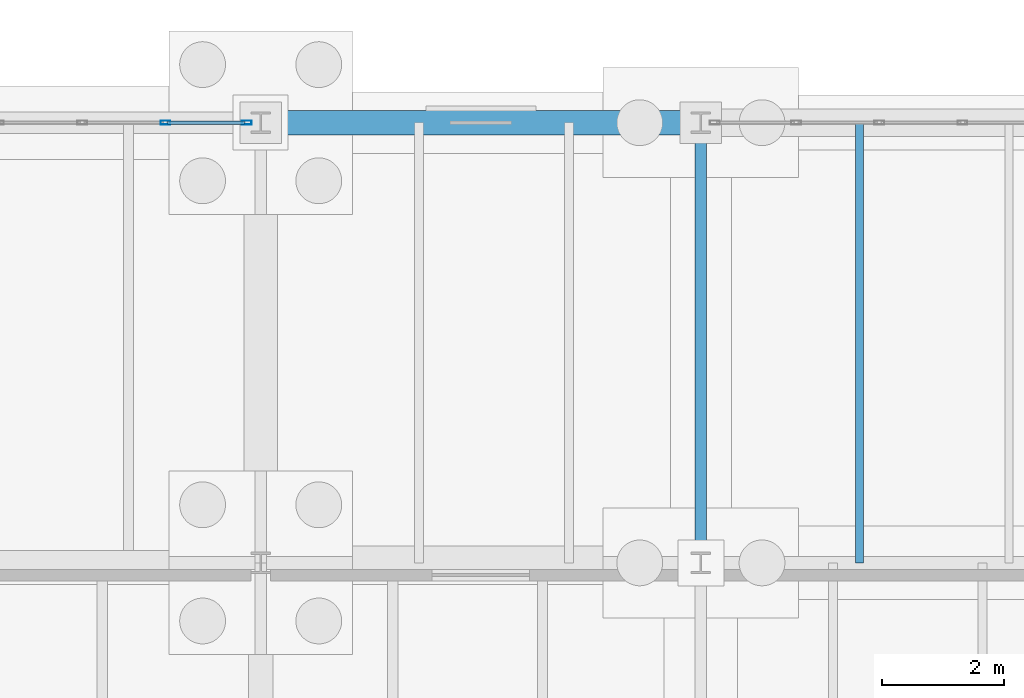
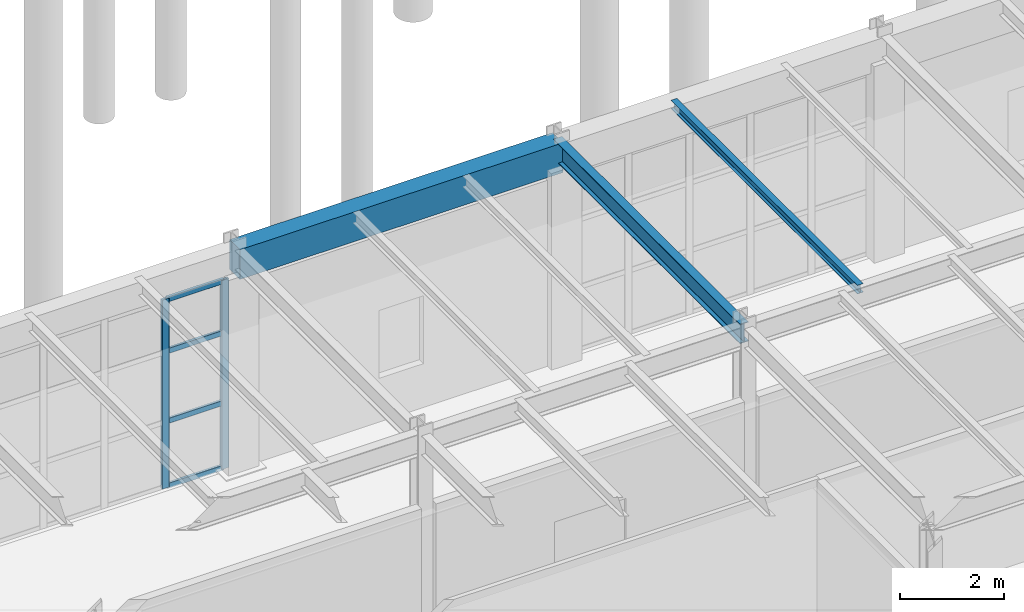
# One storey, part 156 of 293: 6 members, 3 beams, 1 element without a shape of its own.
"""IFC4 building model written with IfcOpenShell, lengths in metres."""

from ifc_helpers import new_model, si_unit, direction, frame, origin, origin_2d, place, context, subcontext, project, spatial, rectangle, hollow_rectangle, i_section, extrude, material, layer, layer_set, material_profile, profile_set, type_object, element, aggregate, save


model = new_model("IFC4")

# Units and contexts
model_context = context("Model", 3, precision=1e-05, world=origin(), true_north=direction((0.0, 1.0)))
body_context = subcontext(model_context, "Body", "Model", "MODEL_VIEW")
ifc_project = project(units=[si_unit("LENGTHUNIT", "METRE"), si_unit("AREAUNIT", "SQUARE_METRE"), si_unit("VOLUMEUNIT", "CUBIC_METRE"), si_unit("PLANEANGLEUNIT", "RADIAN"), si_unit("MASSUNIT", "GRAM", prefix="KILO")], contexts=[model_context])

# Site, building, storey
site_placement = place(None, origin())
site = spatial("IfcSite", under=ifc_project, at=site_placement, CompositionType="ELEMENT")
building_placement = place(site_placement, origin())
building = spatial("IfcBuilding", under=site, at=building_placement, Name="Kemerveld Promenade Tramway Depot", CompositionType="ELEMENT")
storey_placement = place(building_placement, origin())
storey = spatial("IfcBuildingStorey", under=building, at=storey_placement, Name="L00", CompositionType="ELEMENT", Elevation=0.0)

# Beams
ifc_material_1 = material(Name="Steel S355", Category="steel")
ifc_material_profile_1 = material_profile(ifc_material_1, i_section(OverallWidth=0.19140625, OverallDepth=0.4599609375, WebThickness=0.010009765625, FlangeThickness=0.01611328125, FilletRadius=0.01025390625, at=origin_2d()), Name="457x191x82 UB")
ifc_profile_set_1 = profile_set([ifc_material_profile_1], Name="Steel S355")
beam_type_1 = type_object("IfcBeamType", Name="BM-G06", PredefinedType="BEAM", material=ifc_profile_set_1)
beam_1_placement = place(storey_placement, frame((136.800048828125, 21.60009765625, 4.945068359375), z_axis=(0.0, 1.0, 0.0), x_axis=(-1.0, 0.0, 0.0)))
element("IfcBeam", 1, at=beam_1_placement, inside=storey, type_object=beam_type_1, Name="BMY-L00-20-D-E", PredefinedType="BEAM", context=body_context, shape_type="SweptSolid", body=[
    extrude(i_section(OverallWidth=0.19140625, OverallDepth=0.4599609375, WebThickness=0.010009765625, FlangeThickness=0.01611328125, FilletRadius=0.01025390625, at=origin_2d()), origin(), (0.0, 0.0, 1.0), 7.199951171875),
])
ifc_material_profile_2 = material_profile(ifc_material_1, i_section(OverallWidth=0.13330078125, OverallDepth=0.203125, WebThickness=0.005615234375, FlangeThickness=0.0078125, FilletRadius=0.007568359375, at=origin_2d()), Name="203x133x25 UB")
ifc_profile_set_2 = profile_set([ifc_material_profile_2], Name="Steel S355")
beam_type_2 = type_object("IfcBeamType", Name="BM-J03", PredefinedType="JOIST", material=ifc_profile_set_2)
beam_2_placement = place(storey_placement, frame((139.39208984375, 21.60009765625, 5.073486328125), z_axis=(0.0, 1.0, 0.0), x_axis=(-1.0, 0.0, 0.0)))
element("IfcBeam", 2, at=beam_2_placement, inside=storey, type_object=beam_type_2, Name="JST-L00-20-D-1", PredefinedType="JOIST", context=body_context, shape_type="SweptSolid", body=[
    extrude(i_section(OverallWidth=0.13330078125, OverallDepth=0.203125, WebThickness=0.005615234375, FlangeThickness=0.0078125, FilletRadius=0.007568359375, at=origin_2d()), origin(), (0.0, 0.0, 1.0), 7.199951171875),
])
ifc_material_2 = material(Name="Concrete C40/50", Category="concrete")
ifc_material_profile_3 = material_profile(ifc_material_2, rectangle(XDim=0.39990234375, YDim=0.699951171875, at=origin_2d()), Name="RC-BM-400x700")
ifc_profile_set_3 = profile_set([ifc_material_profile_3], Name="Concrete C40/50")
beam_type_3 = type_object("IfcBeamType", Name="BM-RC5", PredefinedType="BEAM", material=ifc_profile_set_3)
beam_3_placement = place(storey_placement, frame((129.60009765625, 28.800048828125, 4.824951171875), z_axis=(1.0, 0.0, 0.0), x_axis=(0.0, 1.0, 0.0)))
element("IfcBeam", 3, at=beam_3_placement, inside=storey, type_object=beam_type_3, Name="BMX-L00-19-20-E", PredefinedType="BEAM", context=body_context, shape_type="SweptSolid", body=[
    extrude(rectangle(XDim=0.39990234375, YDim=0.699951171875, at=origin_2d()), origin(), (0.0, 0.0, 1.0), 7.199951171875),
])

# Curtain wall, members
ifc_material_3 = material(Name="Bronze anodised aluminium and solar glass", Category="aluminium")
ifc_layer = layer(ifc_material_3, 0.159912109375)
ifc_layer_set = layer_set([ifc_layer], Name="CW-SYS-13")
curtain_wall_type = type_object("IfcCurtainWallType", Name="CW-SYS-13", PredefinedType="USERDEFINED", material=ifc_layer_set)
curtain_wall_placement = place(storey_placement, origin())
curtain_wall = element("IfcCurtainWall", 4, at=curtain_wall_placement, inside=storey, type_object=curtain_wall_type, Name="CW-L00-V4N-10", ObjectType="GLAZED_CURTAIN_WALL", PredefinedType="USERDEFINED")
ifc_material_4 = material(Name="Bronze anodised aluminium", Category="aluminium")
ifc_material_profile_4 = material_profile(ifc_material_4, hollow_rectangle(XDim=0.06494140625, YDim=0.159912109375, WallThickness=0.00390625, InnerFilletRadius=0.001953125, OuterFilletRadius=0.00390625, at=origin_2d()), Name="CW-MUL-160x65")
ifc_profile_set_4 = profile_set([ifc_material_profile_4], Name="Bronze anodised aluminium")
member_type_1 = type_object("IfcMemberType", Name="CW-MUL-A", PredefinedType="MULLION", material=ifc_profile_set_4)
member_1_placement = place(storey_placement, frame((128.042236328125, 28.800048828125, 0.0), z_axis=(0.0, 0.0, 1.0), x_axis=(0.0, 1.0, 0.0)))
member_1 = element("IfcMember", 5, at=member_1_placement, type_object=member_type_1, Name="CW13 mullion 5", PredefinedType="MULLION", context=body_context, shape_type="SweptSolid", body=[
    extrude(hollow_rectangle(XDim=0.06494140625, YDim=0.159912109375, WallThickness=0.00390625, InnerFilletRadius=0.001953125, OuterFilletRadius=0.00390625, at=origin_2d()), origin(), (0.0, 0.0, 1.0), 4.455078125),
])
member_2_placement = place(storey_placement, frame((129.371337890625, 28.800048828125, 0.0), z_axis=(0.0, 0.0, 1.0), x_axis=(0.0, 1.0, 0.0)))
member_2 = element("IfcMember", 6, at=member_2_placement, type_object=member_type_1, Name="CW13 mullion 6", PredefinedType="MULLION", context=body_context, shape_type="SweptSolid", body=[
    extrude(hollow_rectangle(XDim=0.06494140625, YDim=0.159912109375, WallThickness=0.00390625, InnerFilletRadius=0.001953125, OuterFilletRadius=0.00390625, at=origin_2d()), origin(), (0.0, 0.0, 1.0), 4.455078125),
])
ifc_material_profile_5 = material_profile(ifc_material_4, hollow_rectangle(XDim=0.06005859375, YDim=0.1201171875, WallThickness=0.00390625, InnerFilletRadius=0.001953125, OuterFilletRadius=0.00390625, at=origin_2d()), Name="CW-TRN-120x60")
ifc_profile_set_5 = profile_set([ifc_material_profile_5], Name="Bronze anodised aluminium")
member_type_2 = type_object("IfcMemberType", Name="CW-TRN-A", PredefinedType="USERDEFINED", material=ifc_profile_set_5)
member_3_placement = place(storey_placement, frame((128.07470703125, 28.800048828125, 0.030029296875), z_axis=(1.0, 0.0, 0.0), x_axis=(0.0, 1.0, 0.0)))
member_3 = element("IfcMember", 7, at=member_3_placement, type_object=member_type_2, Name="CW13 transom 5.1", ObjectType="TRANSOM", PredefinedType="USERDEFINED", context=body_context, shape_type="SweptSolid", body=[
    extrude(hollow_rectangle(XDim=0.06005859375, YDim=0.1201171875, WallThickness=0.00390625, InnerFilletRadius=0.001953125, OuterFilletRadius=0.00390625, at=origin_2d()), origin(), (0.0, 0.0, 1.0), 1.26416015625),
])
member_4_placement = place(storey_placement, frame((128.07470703125, 28.800048828125, 1.55908203125), z_axis=(1.0, 0.0, 0.0), x_axis=(0.0, 1.0, 0.0)))
member_4 = element("IfcMember", 8, at=member_4_placement, type_object=member_type_2, Name="CW13 transom 5.2", ObjectType="TRANSOM", PredefinedType="USERDEFINED", context=body_context, shape_type="SweptSolid", body=[
    extrude(hollow_rectangle(XDim=0.06005859375, YDim=0.1201171875, WallThickness=0.00390625, InnerFilletRadius=0.001953125, OuterFilletRadius=0.00390625, at=origin_2d()), origin(), (0.0, 0.0, 1.0), 1.26416015625),
])
member_5_placement = place(storey_placement, frame((128.07470703125, 28.800048828125, 3.2080078125), z_axis=(1.0, 0.0, 0.0), x_axis=(0.0, 1.0, 0.0)))
member_5 = element("IfcMember", 9, at=member_5_placement, type_object=member_type_2, Name="CW13 transom 5.3", ObjectType="TRANSOM", PredefinedType="USERDEFINED", context=body_context, shape_type="SweptSolid", body=[
    extrude(hollow_rectangle(XDim=0.06005859375, YDim=0.1201171875, WallThickness=0.00390625, InnerFilletRadius=0.001953125, OuterFilletRadius=0.00390625, at=origin_2d()), origin(), (0.0, 0.0, 1.0), 1.26416015625),
])
member_6_placement = place(storey_placement, frame((128.07470703125, 28.800048828125, 4.425048828125), z_axis=(1.0, 0.0, 0.0), x_axis=(0.0, 1.0, 0.0)))
member_6 = element("IfcMember", 10, at=member_6_placement, type_object=member_type_2, Name="CW13 transom 5.4", ObjectType="TRANSOM", PredefinedType="USERDEFINED", context=body_context, shape_type="SweptSolid", body=[
    extrude(hollow_rectangle(XDim=0.06005859375, YDim=0.1201171875, WallThickness=0.00390625, InnerFilletRadius=0.001953125, OuterFilletRadius=0.00390625, at=origin_2d()), origin(), (0.0, 0.0, 1.0), 1.26416015625),
])
aggregate(curtain_wall, [member_1, member_2, member_3, member_4, member_5, member_6])

save(model, "model.ifc")
